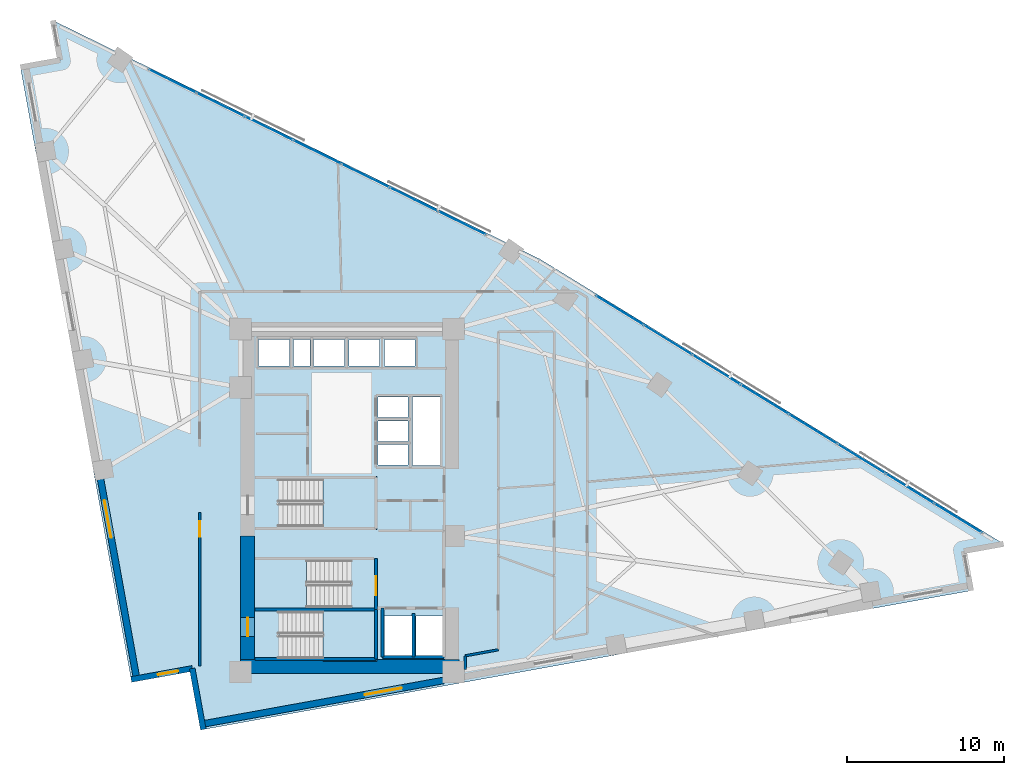
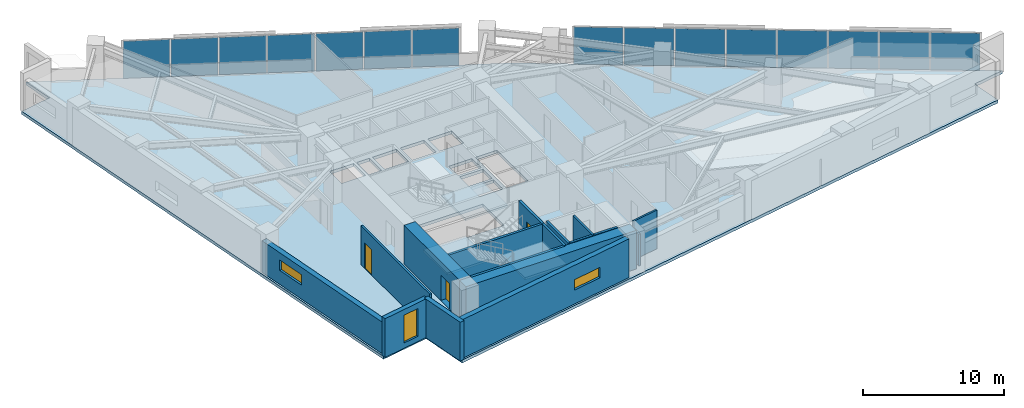
# One storey, part 12 of 18: 16 walls, 15 plates, 4 slabs, 3 doors, 3 windows, 6 openings, 5 elements without a shape of their own.
"""IFC4 building model written with IfcOpenShell, lengths in metres."""

from ifc_helpers import new_model, si_unit, direction, frame, frame_2d, origin, origin_2d, place, context, subcontext, project, spatial, polyline, rectangle, outline, extrude, material, layer, layer_set, type_object, element, fill, aggregate, save


model = new_model("IFC4")

# Units and contexts
model_context = context("Model", 3, precision=1e-05, world=origin(), true_north=direction((0.0, 1.0)))
body_context = subcontext(model_context, "Body", "Model", "MODEL_VIEW")
ifc_project = project(units=[si_unit("LENGTHUNIT", "METRE"), si_unit("AREAUNIT", "SQUARE_METRE"), si_unit("VOLUMEUNIT", "CUBIC_METRE"), si_unit("PLANEANGLEUNIT", "RADIAN"), si_unit("MASSUNIT", "GRAM", prefix="KILO")], contexts=[model_context])

# Site, building, storey
site_placement = place(None, origin())
site = spatial("IfcSite", under=ifc_project, at=site_placement, CompositionType="ELEMENT")
building_placement = place(site_placement, origin())
building = spatial("IfcBuilding", under=site, at=building_placement, Name="Narakoshi Arena Tower", CompositionType="ELEMENT")
storey_placement = place(building_placement, frame((0.0, 0.0, 120.89990234375)))
storey = spatial("IfcBuildingStorey", under=building, at=storey_placement, Name="L32", CompositionType="ELEMENT", Elevation=120.89990234375)

# Curtain wall, plates
ifc_material_1 = material(Name="Anodised bronze aluminium 6063-T6", Category="aluminium")
curtain_wall_type = type_object("IfcCurtainWallType", Name="CW-HYP-LOW", PredefinedType="NOTDEFINED", material=ifc_material_1)
curtain_wall_1_placement = place(storey_placement, origin())
curtain_wall_1 = element("IfcCurtainWall", 1, at=curtain_wall_1_placement, inside=storey, type_object=curtain_wall_type, Name="L32 Folded Hypotenuse Curtain Wall 1-1", PredefinedType="NOTDEFINED")
ifc_material_2 = material(Name="Bronze-tinted low-E laminated glass", Category="glass")
ifc_layer_1 = layer(ifc_material_2, 0.031982421875)
ifc_layer_set_1 = layer_set([ifc_layer_1], Name="Bronze-tinted low-E laminated glass")
plate_type = type_object("IfcPlateType", Name="PLT-GLZ-32", PredefinedType="CURTAIN_PANEL", material=ifc_layer_set_1)
plate_1_placement = place(storey_placement, frame((117.64013671875, 44.483642578125, 0.065185546875), z_axis=(0.0, 0.0, 1.0), x_axis=(-0.852113104237, 0.523357676535, 0.0)))
plate_1 = element("IfcPlate", 2, at=plate_1_placement, type_object=plate_type, Name="CW-01 panel 1.1", PredefinedType="CURTAIN_PANEL", context=body_context, shape_type="SweptSolid", body=[
    extrude(rectangle(XDim=3.498291015625, YDim=0.031982421875, at=origin_2d()), origin(), (0.0, 0.0, 1.0), 3.2099609375),
])
plate_2_placement = place(storey_placement, frame((114.5791015625, 46.36376953125, 0.065185546875), z_axis=(0.0, 0.0, 1.0), x_axis=(-0.852113104237, 0.523357676535, 0.0)))
plate_2 = element("IfcPlate", 3, at=plate_2_placement, type_object=plate_type, Name="CW-01 panel 2.1", PredefinedType="CURTAIN_PANEL", context=body_context, shape_type="SweptSolid", body=[
    extrude(rectangle(XDim=3.535888671875, YDim=0.031982421875, at=origin_2d()), origin(), (0.0, 0.0, 1.0), 3.2099609375),
])
plate_3_placement = place(storey_placement, frame((111.502197265625, 48.25341796875, 0.065185546875), z_axis=(0.0, 0.0, 1.0), x_axis=(-0.852113104237, 0.523357676535, 0.0)))
plate_3 = element("IfcPlate", 4, at=plate_3_placement, type_object=plate_type, Name="CW-01 panel 3.1", PredefinedType="CURTAIN_PANEL", context=body_context, shape_type="SweptSolid", body=[
    extrude(rectangle(XDim=3.535888671875, YDim=0.031982421875, at=origin_2d()), origin(), (0.0, 0.0, 1.0), 3.2099609375),
])
plate_4_placement = place(storey_placement, frame((108.42529296875, 50.143310546875, 0.065185546875), z_axis=(0.0, 0.0, 1.0), x_axis=(-0.852113104237, 0.523357676535, 0.0)))
plate_4 = element("IfcPlate", 5, at=plate_4_placement, type_object=plate_type, Name="CW-01 panel 4.1", PredefinedType="CURTAIN_PANEL", context=body_context, shape_type="SweptSolid", body=[
    extrude(rectangle(XDim=3.535888671875, YDim=0.031982421875, at=origin_2d()), origin(), (0.0, 0.0, 1.0), 3.2099609375),
])
plate_5_placement = place(storey_placement, frame((105.348388671875, 52.032958984375, 0.065185546875), z_axis=(0.0, 0.0, 1.0), x_axis=(-0.852113104237, 0.523357676535, 0.0)))
plate_5 = element("IfcPlate", 6, at=plate_5_placement, type_object=plate_type, Name="CW-01 panel 5.1", PredefinedType="CURTAIN_PANEL", context=body_context, shape_type="SweptSolid", body=[
    extrude(rectangle(XDim=3.535888671875, YDim=0.031982421875, at=origin_2d()), origin(), (0.0, 0.0, 1.0), 3.2099609375),
])
plate_6_placement = place(storey_placement, frame((102.271728515625, 53.9228515625, 0.065185546875), z_axis=(0.0, 0.0, 1.0), x_axis=(-0.852113104237, 0.523357676535, 0.0)))
plate_6 = element("IfcPlate", 7, at=plate_6_placement, type_object=plate_type, Name="CW-01 panel 6.1", PredefinedType="CURTAIN_PANEL", context=body_context, shape_type="SweptSolid", body=[
    extrude(rectangle(XDim=3.535888671875, YDim=0.031982421875, at=origin_2d()), origin(), (0.0, 0.0, 1.0), 3.2099609375),
])
plate_7_placement = place(storey_placement, frame((99.19482421875, 55.8125, 0.065185546875), z_axis=(0.0, 0.0, 1.0), x_axis=(-0.852113104237, 0.523357676535, 0.0)))
plate_7 = element("IfcPlate", 8, at=plate_7_placement, type_object=plate_type, Name="CW-01 panel 7.1", PredefinedType="CURTAIN_PANEL", context=body_context, shape_type="SweptSolid", body=[
    extrude(rectangle(XDim=3.535888671875, YDim=0.031982421875, at=origin_2d()), origin(), (0.0, 0.0, 1.0), 3.2099609375),
])
plate_8_placement = place(storey_placement, frame((96.1337890625, 57.692626953125, 0.065185546875), z_axis=(0.0, 0.0, 1.0), x_axis=(-0.852113104237, 0.523357676535, 0.0)))
plate_8 = element("IfcPlate", 9, at=plate_8_placement, type_object=plate_type, Name="CW-01 panel 8.1", PredefinedType="CURTAIN_PANEL", context=body_context, shape_type="SweptSolid", body=[
    extrude(rectangle(XDim=3.498291015625, YDim=0.031982421875, at=origin_2d()), origin(), (0.0, 0.0, 1.0), 3.2099609375),
])
aggregate(curtain_wall_1, [plate_1, plate_2, plate_3, plate_4, plate_5, plate_6, plate_7, plate_8])

curtain_wall_2_placement = place(storey_placement, origin())
curtain_wall_2 = element("IfcCurtainWall", 10, at=curtain_wall_2_placement, inside=storey, type_object=curtain_wall_type, Name="L32 Folded Hypotenuse Curtain Wall 2-1", PredefinedType="NOTDEFINED")
plate_9_placement = place(storey_placement, frame((86.0791015625, 63.259765625, 0.065185546875), z_axis=(0.0, 0.0, 1.0), x_axis=(-0.89799556291, 0.440004510198, 0.0)))
plate_9 = element("IfcPlate", 11, at=plate_9_placement, type_object=plate_type, Name="CW-01 panel 1.1", PredefinedType="CURTAIN_PANEL", context=body_context, shape_type="SweptSolid", body=[
    extrude(rectangle(XDim=3.309814453125, YDim=0.031982421875, at=origin_2d()), origin(), (0.0, 0.0, 1.0), 3.2099609375),
])
plate_10_placement = place(storey_placement, frame((83.022705078125, 64.75732421875, 0.065185546875), z_axis=(0.0, 0.0, 1.0), x_axis=(-0.89799556291, 0.440004510198, 0.0)))
plate_10 = element("IfcPlate", 12, at=plate_10_placement, type_object=plate_type, Name="CW-01 panel 2.1", PredefinedType="CURTAIN_PANEL", context=body_context, shape_type="SweptSolid", body=[
    extrude(rectangle(XDim=3.347412109375, YDim=0.031982421875, at=origin_2d()), origin(), (0.0, 0.0, 1.0), 3.2099609375),
])
plate_11_placement = place(storey_placement, frame((79.949462890625, 66.26318359375, 0.065185546875), z_axis=(0.0, 0.0, 1.0), x_axis=(-0.89799556291, 0.440004510198, 0.0)))
plate_11 = element("IfcPlate", 13, at=plate_11_placement, type_object=plate_type, Name="CW-01 panel 3.1", PredefinedType="CURTAIN_PANEL", context=body_context, shape_type="SweptSolid", body=[
    extrude(rectangle(XDim=3.347412109375, YDim=0.031982421875, at=origin_2d()), origin(), (0.0, 0.0, 1.0), 3.2099609375),
])
plate_12_placement = place(storey_placement, frame((76.8759765625, 67.76904296875, 0.065185546875), z_axis=(0.0, 0.0, 1.0), x_axis=(-0.89799556291, 0.440004510198, 0.0)))
plate_12 = element("IfcPlate", 14, at=plate_12_placement, type_object=plate_type, Name="CW-01 panel 4.1", PredefinedType="CURTAIN_PANEL", context=body_context, shape_type="SweptSolid", body=[
    extrude(rectangle(XDim=3.347412109375, YDim=0.031982421875, at=origin_2d()), origin(), (0.0, 0.0, 1.0), 3.2099609375),
])
plate_13_placement = place(storey_placement, frame((73.802734375, 69.27490234375, 0.065185546875), z_axis=(0.0, 0.0, 1.0), x_axis=(-0.89799556291, 0.440004510198, 0.0)))
plate_13 = element("IfcPlate", 15, at=plate_13_placement, type_object=plate_type, Name="CW-01 panel 5.1", PredefinedType="CURTAIN_PANEL", context=body_context, shape_type="SweptSolid", body=[
    extrude(rectangle(XDim=3.347412109375, YDim=0.031982421875, at=origin_2d()), origin(), (0.0, 0.0, 1.0), 3.2099609375),
])
plate_14_placement = place(storey_placement, frame((70.7294921875, 70.781005859375, 0.065185546875), z_axis=(0.0, 0.0, 1.0), x_axis=(-0.89799556291, 0.440004510198, 0.0)))
plate_14 = element("IfcPlate", 16, at=plate_14_placement, type_object=plate_type, Name="CW-01 panel 6.1", PredefinedType="CURTAIN_PANEL", context=body_context, shape_type="SweptSolid", body=[
    extrude(rectangle(XDim=3.347412109375, YDim=0.031982421875, at=origin_2d()), origin(), (0.0, 0.0, 1.0), 3.2099609375),
])
plate_15_placement = place(storey_placement, frame((67.673095703125, 72.278564453125, 0.065185546875), z_axis=(0.0, 0.0, 1.0), x_axis=(-0.89799556291, 0.440004510198, 0.0)))
plate_15 = element("IfcPlate", 17, at=plate_15_placement, type_object=plate_type, Name="CW-01 panel 7.1", PredefinedType="CURTAIN_PANEL", context=body_context, shape_type="SweptSolid", body=[
    extrude(rectangle(XDim=3.309814453125, YDim=0.031982421875, at=origin_2d()), origin(), (0.0, 0.0, 1.0), 3.2099609375),
])
aggregate(curtain_wall_2, [plate_9, plate_10, plate_11, plate_12, plate_13, plate_14, plate_15])

# Stair, slab
ifc_material_3 = material(Name="Concrete C45/55", Category="concrete")
stair_type = type_object("IfcStairType", Name="STR-CORE-360", PredefinedType="TWO_STRAIGHT_RUN_STAIR", material=ifc_material_3)
stair_1_placement = place(storey_placement, origin())
stair_1 = element("IfcStair", 18, at=stair_1_placement, inside=storey, type_object=stair_type, Name="L32 Core Escape Stair ST1", PredefinedType="TWO_STRAIGHT_RUN_STAIR")
ifc_layer_2 = layer(ifc_material_3, 0.18994140625)
ifc_layer_set_2 = layer_set([ifc_layer_2], Name="Concrete C45/55")
slab_type_1 = type_object("IfcSlabType", Name="SLB-LND-190", PredefinedType="LANDING", material=ifc_layer_set_2)
slab_1_placement = place(storey_placement, frame((0.0, 0.0, 1.610107421875)))
slab_1 = element("IfcSlab", 19, at=slab_1_placement, type_object=slab_type_1, Name="ST1 landing 1", PredefinedType="LANDING", context=body_context, shape_type="SweptSolid", body=[
    extrude(outline(polyline([(77.25, 35.3701171875), (80.679931640625, 35.3701171875), (80.679931640625, 38.72998046875), (77.25, 38.72998046875), (77.25, 35.3701171875)])), origin(), (0.0, 0.0, 1.0), 0.18994140625),
])
aggregate(stair_1, [slab_1])

stair_2_placement = place(storey_placement, origin())
stair_2 = element("IfcStair", 20, at=stair_2_placement, inside=storey, type_object=stair_type, Name="L32 Core Escape Stair ST2", PredefinedType="TWO_STRAIGHT_RUN_STAIR")
slab_2_placement = place(storey_placement, frame((0.0, 0.0, 1.610107421875)))
slab_2 = element("IfcSlab", 21, at=slab_2_placement, type_object=slab_type_1, Name="ST2 landing 1", PredefinedType="LANDING", context=body_context, shape_type="SweptSolid", body=[
    extrude(outline(polyline([(72.77001953125, 38.6201171875), (76.199951171875, 38.6201171875), (76.199951171875, 41.97998046875), (72.77001953125, 41.97998046875), (72.77001953125, 38.6201171875)])), origin(), (0.0, 0.0, 1.0), 0.18994140625),
])
aggregate(stair_2, [slab_2])

stair_3_placement = place(storey_placement, origin())
stair_3 = element("IfcStair", 22, at=stair_3_placement, inside=storey, type_object=stair_type, Name="L32 Core Escape Stair ST3", PredefinedType="TWO_STRAIGHT_RUN_STAIR")
slab_3_placement = place(storey_placement, frame((0.0, 0.0, 1.610107421875)))
slab_3 = element("IfcSlab", 23, at=slab_3_placement, type_object=slab_type_1, Name="ST3 landing 1", PredefinedType="LANDING", context=body_context, shape_type="SweptSolid", body=[
    extrude(outline(polyline([(77.25, 43.77001953125), (80.679931640625, 43.77001953125), (80.679931640625, 47.1298828125), (77.25, 47.1298828125), (77.25, 43.77001953125)])), origin(), (0.0, 0.0, 1.0), 0.18994140625),
])
aggregate(stair_3, [slab_3])

# Slab
ifc_material_4 = material(Name="Concrete C50/60", Category="concrete")
ifc_layer_3 = layer(ifc_material_4, 0.260009765625)
ifc_layer_set_3 = layer_set([ifc_layer_3], Name="Concrete C50/60")
slab_type_2 = type_object("IfcSlabType", Name="SLB-SKY-260", PredefinedType="FLOOR", material=ifc_layer_set_3)
slab_4_placement = place(storey_placement, frame((0.0, 0.0, -0.260009765625)))
element("IfcSlab", 24, at=slab_4_placement, inside=storey, type_object=slab_type_2, Name="L32 Structural Floor Slab", PredefinedType="FLOOR", context=body_context, shape_type="SweptSolid", body=[
    extrude(outline(polyline([(69.626953125, 31.03271484375), (118.466796875, 39.8642578125), (118.01025390625, 42.3896484375), (120.535400390625, 42.84619140625), (91.034912109375, 60.965087890625), (60.066162109375, 76.139404296875), (60.522705078125, 73.614013671875), (57.99755859375, 73.157470703125), (65.039306640625, 34.215087890625), (68.92431640625, 34.91748046875), (69.626953125, 31.03271484375)]), holes=[polyline([(80.5, 35.550048828125), (74.47998046875, 35.550048828125), (74.47998046875, 38.550048828125), (80.5, 38.550048828125), (80.5, 35.550048828125)]), polyline([(82.89990234375, 35.75), (81.14990234375, 35.75), (81.14990234375, 38.25), (82.89990234375, 38.25), (82.89990234375, 35.75)]), polyline([(83.14990234375, 35.75), (83.14990234375, 38.25), (84.89990234375, 38.25), (84.89990234375, 35.75), (83.14990234375, 35.75)]), polyline([(72.949951171875, 38.800048828125), (72.949951171875, 41.800048828125), (78.969970703125, 41.800048828125), (78.969970703125, 38.800048828125), (72.949951171875, 38.800048828125)]), polyline([(74.47998046875, 43.949951171875), (74.47998046875, 46.949951171875), (80.5, 46.949951171875), (80.5, 43.949951171875), (74.47998046875, 43.949951171875)]), polyline([(82.949951171875, 47.840087890625), (82.949951171875, 52.199951171875), (84.699951171875, 52.199951171875), (84.699951171875, 47.840087890625), (82.949951171875, 47.840087890625)]), polyline([(80.75, 47.85009765625), (80.75, 49.14990234375), (82.64990234375, 49.14990234375), (82.64990234375, 47.85009765625), (80.75, 47.85009765625)]), polyline([(80.75, 49.3701171875), (80.75, 50.669921875), (82.64990234375, 50.669921875), (82.64990234375, 49.3701171875), (80.75, 49.3701171875)]), polyline([(80.75, 50.889892578125), (80.75, 52.18994140625), (82.64990234375, 52.18994140625), (82.64990234375, 50.889892578125), (80.75, 50.889892578125)]), polyline([(73.14990234375, 54.14990234375), (73.14990234375, 55.85009765625), (75.10009765625, 55.85009765625), (75.10009765625, 54.14990234375), (73.14990234375, 54.14990234375)]), polyline([(75.35009765625, 54.14990234375), (75.35009765625, 55.85009765625), (76.39990234375, 55.85009765625), (76.39990234375, 54.14990234375), (75.35009765625, 54.14990234375)]), polyline([(76.64990234375, 54.14990234375), (76.64990234375, 55.85009765625), (78.60009765625, 55.85009765625), (78.60009765625, 54.14990234375), (76.64990234375, 54.14990234375)]), polyline([(78.89990234375, 54.14990234375), (78.89990234375, 55.85009765625), (80.85009765625, 55.85009765625), (80.85009765625, 54.14990234375), (78.89990234375, 54.14990234375)]), polyline([(81.14990234375, 54.14990234375), (81.14990234375, 55.85009765625), (83.10009765625, 55.85009765625), (83.10009765625, 54.14990234375), (81.14990234375, 54.14990234375)])]), origin(), (0.0, 0.0, 1.0), 0.260009765625),
])

# Wall, opening, door
ifc_material_5 = material(Name="Concrete C60/75", Category="concrete")
ifc_layer_4 = layer(ifc_material_5, 0.89990234375)
ifc_layer_set_4 = layer_set([ifc_layer_4], Name="Concrete C60/75")
wall_type_1 = type_object("IfcWallType", Name="WL-CORE-900", PredefinedType="SHEAR", material=ifc_layer_set_4)
wall_1_placement = place(storey_placement, frame((72.449951171875, 35.5, -0.260009765625), z_axis=(0.0, 0.0, 1.0), x_axis=(0.0, 1.0, 0.0)))
wall_1 = element("IfcWall", 25, at=wall_1_placement, inside=storey, type_object=wall_type_1, Name="L32 Central Core Shear Wall CW-APX-W", PredefinedType="SHEAR", context=body_context, shape_type="SweptSolid", body=[
    extrude(rectangle(XDim=7.85009765625, YDim=0.89990234375, at=frame_2d((3.925048828125, 0.0))), origin(), (0.0, 0.0, 1.0), 3.60009765625),
])
opening_1_placement = place(wall_1_placement, frame((1.449951171875, 0.0, 0.260009765625)))
opening_1 = element("IfcOpeningElement", 26, at=opening_1_placement, cuts=wall_1, Name="Opening D-03", PredefinedType="OPENING", context=body_context, shape_type="SweptSolid", body=[
    extrude(rectangle(XDim=1.199951171875, YDim=2.199951171875, at=frame_2d((0.60009765625, 1.10009765625))), frame((0.0, 0.4599609375, 0.0), z_axis=(0.0, -1.0, 0.0), x_axis=(1.0, 0.0, 0.0)), (0.0, 0.0, 1.0), 0.919921875),
])
ifc_material_6 = material(Name="Painted galvanized steel", Category="steel")
door_type_1 = type_object("IfcDoorType", Name="DR-STR-1200", OperationType="NOTDEFINED", PredefinedType="USERDEFINED", material=ifc_material_6)
door_1_placement = place(opening_1_placement, frame((1.199951171875, 0.0, 0.0), z_axis=(0.0, 0.0, 1.0), x_axis=(-1.0, 0.0, 0.0)))
door_1 = element("IfcDoor", 27, at=door_1_placement, inside=storey, type_object=door_type_1, Name="DR-L32-001", ObjectType="EXITDOOR", OperationType="SINGLE_SWING_LEFT", OverallHeight=2.199951171875, OverallWidth=1.199951171875, PredefinedType="USERDEFINED", context=body_context, shape_type="SweptSolid", body=[
    extrude(rectangle(XDim=1.199951171875, YDim=2.199951171875, at=frame_2d((0.60009765625, 1.10009765625))), frame((0.0, 0.02490234375, 0.0), z_axis=(0.0, -1.0, 0.0), x_axis=(1.0, 0.0, 0.0)), (0.0, 0.0, 1.0), 0.050048828125),
])
fill(opening_1, door_1)

# Wall
wall_2_placement = place(storey_placement, frame((72.0, 35.050048828125, -0.260009765625), z_axis=(0.0, 0.0, 1.0), x_axis=(1.0, 0.0, 0.0)))
element("IfcWall", 28, at=wall_2_placement, inside=storey, type_object=wall_type_1, Name="L32 Central Core Shear Wall CW-APX-S", PredefinedType="SHEAR", context=body_context, shape_type="SweptSolid", body=[
    extrude(rectangle(XDim=13.89990234375, YDim=0.89990234375, at=frame_2d((6.949951171875, 0.0))), origin(), (0.0, 0.0, 1.0), 3.60009765625),
])

# Wall, opening, door
ifc_material_7 = material(Name="Gypsum plasterboard fire-rated partition")
ifc_layer_5 = layer(ifc_material_7, 0.1650390625)
ifc_layer_set_5 = layer_set([ifc_layer_5], Name="Gypsum plasterboard fire-rated partition")
wall_type_2 = type_object("IfcWallType", Name="WL-CORR-165", PredefinedType="PARTITIONING", material=ifc_layer_set_5)
wall_3_placement = place(storey_placement, frame((69.39990234375, 44.823486328125, 0.0), z_axis=(0.0, 0.0, 1.0), x_axis=(0.000175544184, -0.999999984592, 0.0)))
wall_3 = element("IfcWall", 29, at=wall_3_placement, inside=storey, type_object=wall_type_2, Name="L32 Corridor Partition 01-1", PredefinedType="PARTITIONING", context=body_context, shape_type="SweptSolid", body=[
    extrude(rectangle(XDim=9.7353515625, YDim=0.1650390625, at=frame_2d((4.86767578125, 0.0))), origin(), (0.0, 0.0, 1.0), 3.340087890625),
])
opening_2_placement = place(wall_3_placement, frame((0.533447265625, 0.0, 0.0)))
opening_2 = element("IfcOpeningElement", 30, at=opening_2_placement, cuts=wall_3, Name="Opening D-06", PredefinedType="OPENING", context=body_context, shape_type="SweptSolid", body=[
    extrude(rectangle(XDim=1.0, YDim=2.199951171875, at=frame_2d((0.5, 1.10009765625))), frame((0.0, 0.092529296875, 0.0), z_axis=(0.0, -1.0, 0.0), x_axis=(1.0, 0.0, 0.0)), (0.0, 0.0, 1.0), 0.18505859375),
])
ifc_material_8 = material(Name="Stained oak solid-core timber", Category="wood")
door_type_2 = type_object("IfcDoorType", Name="DR-OFF-1000", OperationType="NOTDEFINED", PredefinedType="DOOR", material=ifc_material_8)
door_2_placement = place(opening_2_placement, frame((1.0, 0.0, 0.0), z_axis=(0.0, 0.0, 1.0), x_axis=(-1.0, 0.0, 0.0)))
door_2 = element("IfcDoor", 31, at=door_2_placement, inside=storey, type_object=door_type_2, Name="DR-L32-015", OperationType="SINGLE_SWING_RIGHT", OverallHeight=2.199951171875, OverallWidth=1.0, PredefinedType="DOOR", context=body_context, shape_type="SweptSolid", body=[
    extrude(rectangle(XDim=1.0, YDim=2.199951171875, at=frame_2d((0.5, 1.10009765625))), frame((0.0, 0.02490234375, 0.0), z_axis=(0.0, -1.0, 0.0), x_axis=(1.0, 0.0, 0.0)), (0.0, 0.0, 1.0), 0.050048828125),
])
fill(opening_2, door_2)

# Wall, opening, window
ifc_material_9 = material(Name="Precast concrete C45/55", Category="concrete")
ifc_layer_6 = layer(ifc_material_9, 0.419921875)
ifc_layer_set_6 = layer_set([ifc_layer_6], Name="Precast concrete C45/55")
wall_type_3 = type_object("IfcWallType", Name="WL-POD-420", PredefinedType="SOLIDWALL", material=ifc_layer_set_6)
wall_4_placement = place(storey_placement, frame((69.564697265625, 31.376953125, 0.0), z_axis=(0.0, 0.0, 1.0), x_axis=(0.98404091451, 0.177942346197, 0.0)))
wall_4 = element("IfcWall", 32, at=wall_4_placement, inside=storey, type_object=wall_type_3, Name="L32 Architectural Concrete Facade Wall LEGA-1", PredefinedType="SOLIDWALL", context=body_context, shape_type="SweptSolid", body=[
    extrude(rectangle(XDim=15.58349609375, YDim=0.419921875, at=frame_2d((7.791748046875, 0.0))), origin(), (0.0, 0.0, 1.0), 3.340087890625),
])
opening_3_placement = place(wall_4_placement, frame((10.5, 0.0, 1.199951171875)))
opening_3 = element("IfcOpeningElement", 33, at=opening_3_placement, cuts=wall_4, Name="Opening WN-01", PredefinedType="OPENING", context=body_context, shape_type="SweptSolid", body=[
    extrude(rectangle(XDim=2.39990234375, YDim=0.89990234375, at=frame_2d((1.199951171875, 0.449951171875))), frame((0.0, 0.219970703125, 0.0), z_axis=(0.0, -1.0, 0.0), x_axis=(1.0, 0.0, 0.0)), (0.0, 0.0, 1.0), 0.43994140625),
])
window_type_1 = type_object("IfcWindowType", Name="WIN-SLT-24x09", PartitioningType="SINGLE_PANEL", PredefinedType="WINDOW", material=ifc_material_2)
window_1_placement = place(opening_3_placement, origin())
window_1 = element("IfcWindow", 34, at=window_1_placement, inside=storey, type_object=window_type_1, Name="L32 LEGA1 Horizontal Slot Window 1", OverallHeight=0.89990234375, OverallWidth=2.39990234375, PartitioningType="SINGLE_PANEL", PredefinedType="WINDOW", context=body_context, shape_type="SweptSolid", body=[
    extrude(rectangle(XDim=2.39990234375, YDim=0.89990234375, at=frame_2d((1.199951171875, 0.449951171875))), frame((0.0, 0.030029296875, 0.0), z_axis=(0.0, -1.0, 0.0), x_axis=(1.0, 0.0, 0.0)), (0.0, 0.0, 1.0), 0.06005859375),
])
fill(opening_3, window_1)

wall_5_placement = place(storey_placement, frame((62.989501953125, 47.517578125, 0.0), z_axis=(0.0, 0.0, 1.0), x_axis=(0.177948058674, -0.984039881516, 0.0)))
wall_5 = element("IfcWall", 35, at=wall_5_placement, inside=storey, type_object=wall_type_3, Name="L32 Architectural Concrete Facade Wall LEGB-3", PredefinedType="SOLIDWALL", context=body_context, shape_type="SweptSolid", body=[
    extrude(rectangle(XDim=13.455078125, YDim=0.419921875, at=frame_2d((6.7275390625, 0.0))), origin(), (0.0, 0.0, 1.0), 2.72509765625),
])
opening_4_placement = place(wall_5_placement, frame((1.945068359375, 0.0, 1.199951171875)))
opening_4 = element("IfcOpeningElement", 36, at=opening_4_placement, cuts=wall_5, Name="Opening WN-01", PredefinedType="OPENING", context=body_context, shape_type="SweptSolid", body=[
    extrude(rectangle(XDim=2.39990234375, YDim=0.89990234375, at=frame_2d((1.199951171875, 0.449951171875))), frame((0.0, 0.219970703125, 0.0), z_axis=(0.0, -1.0, 0.0), x_axis=(1.0, 0.0, 0.0)), (0.0, 0.0, 1.0), 0.43994140625),
])
window_2_placement = place(opening_4_placement, origin())
window_2 = element("IfcWindow", 37, at=window_2_placement, inside=storey, type_object=window_type_1, Name="L32 LEGB3 Horizontal Slot Window 1", OverallHeight=0.89990234375, OverallWidth=2.39990234375, PartitioningType="SINGLE_PANEL", PredefinedType="WINDOW", context=body_context, shape_type="SweptSolid", body=[
    extrude(rectangle(XDim=2.39990234375, YDim=0.89990234375, at=frame_2d((1.199951171875, 0.449951171875))), frame((0.0, 0.030029296875, 0.0), z_axis=(0.0, -1.0, 0.0), x_axis=(1.0, 0.0, 0.0)), (0.0, 0.0, 1.0), 0.06005859375),
])
fill(opening_4, window_2)

wall_6_placement = place(storey_placement, frame((65.039306640625, 34.215087890625, 0.0), z_axis=(0.0, 0.0, 1.0), x_axis=(0.984046535247, 0.177911260096, 0.0)))
wall_6 = element("IfcWall", 38, at=wall_6_placement, inside=storey, type_object=wall_type_3, Name="L32 Re-Entrant Corner Notch Wall NTA-1", PredefinedType="SOLIDWALL", context=body_context, shape_type="SweptSolid", body=[
    extrude(rectangle(XDim=3.947998046875, YDim=0.360107421875, at=frame_2d((1.97412109375, 0.0))), origin(), (0.0, 0.0, 1.0), 3.340087890625),
])
opening_5_placement = place(wall_6_placement, frame((1.73388671875, 0.0, 0.449951171875)))
opening_5 = element("IfcOpeningElement", 39, at=opening_5_placement, cuts=wall_6, Name="Opening WN-06", PredefinedType="OPENING", context=body_context, shape_type="SweptSolid", body=[
    extrude(rectangle(XDim=1.300048828125, YDim=2.39990234375, at=frame_2d((0.64990234375, 1.199951171875))), frame((0.0, 0.18994140625, 0.0), z_axis=(0.0, -1.0, 0.0), x_axis=(1.0, 0.0, 0.0)), (0.0, 0.0, 1.0), 0.380126953125),
])
window_type_2 = type_object("IfcWindowType", Name="WIN-NTC-16x24", PartitioningType="SINGLE_PANEL", PredefinedType="WINDOW", material=ifc_material_2)
window_3_placement = place(opening_5_placement, origin())
window_3 = element("IfcWindow", 40, at=window_3_placement, inside=storey, type_object=window_type_2, Name="L32 Corner Notch Window NTA", OverallHeight=2.39990234375, OverallWidth=1.300048828125, PartitioningType="SINGLE_PANEL", PredefinedType="WINDOW", context=body_context, shape_type="SweptSolid", body=[
    extrude(rectangle(XDim=1.300048828125, YDim=2.39990234375, at=frame_2d((0.64990234375, 1.199951171875))), frame((0.0, 0.030029296875, 0.0), z_axis=(0.0, -1.0, 0.0), x_axis=(1.0, 0.0, 0.0)), (0.0, 0.0, 1.0), 0.06005859375),
])
fill(opening_5, window_3)

# Walls
wall_7_placement = place(storey_placement, frame((68.92431640625, 34.91748046875, 0.0), z_axis=(0.0, 0.0, 1.0), x_axis=(0.177981971326, -0.984033748346, 0.0)))
element("IfcWall", 41, at=wall_7_placement, inside=storey, type_object=wall_type_3, Name="L32 Re-Entrant Corner Notch Wall NTA-2", PredefinedType="SOLIDWALL", context=body_context, shape_type="SweptSolid", body=[
    extrude(rectangle(XDim=3.94775390625, YDim=0.360107421875, at=frame_2d((1.973876953125, 0.0))), origin(), (0.0, 0.0, 1.0), 3.340087890625),
])
ifc_material_10 = material(Name="Concrete C40/50", Category="concrete")
ifc_layer_7 = layer(ifc_material_10, 0.280029296875)
ifc_layer_set_7 = layer_set([ifc_layer_7], Name="Concrete C40/50")
wall_type_4 = type_object("IfcWallType", Name="WL-RISER-280", PredefinedType="PLUMBINGWALL", material=ifc_layer_set_7)
wall_8_placement = place(storey_placement, frame((83.0, 35.64990234375, 0.0), z_axis=(0.0, 0.0, 1.0), x_axis=(0.0, 1.0, 0.0)))
element("IfcWall", 42, at=wall_8_placement, inside=storey, type_object=wall_type_4, Name="L32 Core Wall FF-DIV", PredefinedType="PLUMBINGWALL", context=body_context, shape_type="SweptSolid", body=[
    extrude(rectangle(XDim=2.75, YDim=0.159912109375, at=frame_2d((1.375, 0.0))), origin(), (0.0, 0.0, 1.0), 3.340087890625),
])
ifc_layer_8 = layer(ifc_material_4, 0.35009765625)
ifc_layer_set_8 = layer_set([ifc_layer_8], Name="Concrete C50/60")
wall_type_5 = type_object("IfcWallType", Name="WL-SHAFT-350", PredefinedType="SOLIDWALL", material=ifc_layer_set_8)
for number, where, z_axis, x_axis, name in (
    (43, (72.919921875, 35.52001953125, -0.260009765625), (0.0, 0.0, 1.0), (1.0, 0.0, 0.0), "L32 Core Wall ST1-S"),
    (44, (72.919921875, 38.675048828125, -0.260009765625), (0.0, 0.0, 1.0), (1.0, 0.0, 0.0), "L32 Core Wall ST12-DIV"),
):
    element("IfcWall", number, at=place(storey_placement, frame(where, z_axis=z_axis, x_axis=x_axis)), inside=storey, type_object=wall_type_5, Name=name, PredefinedType="SOLIDWALL", context=body_context, shape_type="SweptSolid", body=[
        extrude(rectangle(XDim=7.7001953125, YDim=0.199951171875, at=frame_2d((3.85009765625, 0.0))), origin(), (0.0, 0.0, 1.0), 3.60009765625),
    ])
wall_9_placement = place(storey_placement, frame((80.6201171875, 35.52001953125, -0.260009765625), z_axis=(0.0, 0.0, 1.0), x_axis=(0.0, 1.0, 0.0)))
element("IfcWall", 45, at=wall_9_placement, inside=storey, type_object=wall_type_5, Name="L32 Core Wall ST1-E", PredefinedType="SOLIDWALL", context=body_context, shape_type="SweptSolid", body=[
    extrude(rectangle(XDim=3.155029296875, YDim=0.199951171875, at=frame_2d((1.57763671875, 0.0))), origin(), (0.0, 0.0, 1.0), 3.60009765625),
])

# Wall, opening, door
wall_10_placement = place(storey_placement, frame((80.6201171875, 38.675048828125, -0.260009765625), z_axis=(0.0, 0.0, 1.0), x_axis=(0.0, 1.0, 0.0)))
wall_10 = element("IfcWall", 46, at=wall_10_placement, inside=storey, type_object=wall_type_5, Name="L32 Core Wall ST2-E", PredefinedType="SOLIDWALL", context=body_context, shape_type="SweptSolid", body=[
    extrude(rectangle(XDim=3.244873046875, YDim=0.199951171875, at=frame_2d((1.62255859375, 0.0))), origin(), (0.0, 0.0, 1.0), 3.60009765625),
])
opening_6_placement = place(wall_10_placement, frame((0.89990234375, 0.0, 0.260009765625)))
opening_6 = element("IfcOpeningElement", 47, at=opening_6_placement, cuts=wall_10, Name="Opening D-03", PredefinedType="OPENING", context=body_context, shape_type="SweptSolid", body=[
    extrude(rectangle(XDim=1.199951171875, YDim=2.199951171875, at=frame_2d((0.60009765625, 1.10009765625))), frame((0.0, 0.10986328125, 0.0), z_axis=(0.0, -1.0, 0.0), x_axis=(1.0, 0.0, 0.0)), (0.0, 0.0, 1.0), 0.219970703125),
])
door_3_placement = place(opening_6_placement, origin())
door_3 = element("IfcDoor", 48, at=door_3_placement, inside=storey, type_object=door_type_1, Name="DR-L32-002", ObjectType="EXITDOOR", OperationType="SINGLE_SWING_RIGHT", OverallHeight=2.199951171875, OverallWidth=1.199951171875, PredefinedType="USERDEFINED", context=body_context, shape_type="SweptSolid", body=[
    extrude(rectangle(XDim=1.199951171875, YDim=2.199951171875, at=frame_2d((0.60009765625, 1.10009765625))), frame((0.0, 0.02490234375, 0.0), z_axis=(0.0, -1.0, 0.0), x_axis=(1.0, 0.0, 0.0)), (0.0, 0.0, 1.0), 0.050048828125),
])
fill(opening_6, door_3)

# Walls
wall_11_placement = place(storey_placement, frame((81.02001953125, 35.64990234375, 0.0), z_axis=(0.0, 0.0, 1.0), x_axis=(0.0, 1.0, 0.0)))
element("IfcWall", 49, at=wall_11_placement, inside=storey, type_object=wall_type_5, Name="L32 Core Wall FF-W", PredefinedType="SOLIDWALL", context=body_context, shape_type="SweptSolid", body=[
    extrude(rectangle(XDim=3.10009765625, YDim=0.179931640625, at=frame_2d((1.550048828125, 0.0))), origin(), (0.0, 0.0, 1.0), 3.340087890625),
])
wall_12_placement = place(storey_placement, frame((81.02001953125, 35.64990234375, 0.0), z_axis=(0.0, 0.0, 1.0), x_axis=(1.0, 0.0, 0.0)))
element("IfcWall", 50, at=wall_12_placement, inside=storey, type_object=wall_type_5, Name="L32 Core Wall FF-S", PredefinedType="SOLIDWALL", context=body_context, shape_type="SweptSolid", body=[
    extrude(rectangle(XDim=3.929931640625, YDim=0.179931640625, at=frame_2d((1.96484375, 0.0))), origin(), (0.0, 0.0, 1.0), 3.340087890625),
])
ifc_material_11 = material(Name="Moisture-resistant cement-board partition")
ifc_layer_9 = layer(ifc_material_11, 0.14501953125)
ifc_layer_set_9 = layer_set([ifc_layer_9], Name="Moisture-resistant cement-board partition")
wall_type_6 = type_object("IfcWallType", Name="WL-WET-145", PredefinedType="PARTITIONING", material=ifc_layer_set_9)
wall_13_placement = place(storey_placement, frame((86.300048828125, 35.724365234375, 0.0), z_axis=(0.0, 0.0, 1.0), x_axis=(0.984046990905, 0.177908739781, 0.0)))
element("IfcWall", 51, at=wall_13_placement, inside=storey, type_object=wall_type_6, Name="L32 Corridor Partition 02-5", PredefinedType="PARTITIONING", context=body_context, shape_type="SweptSolid", body=[
    extrude(rectangle(XDim=2.1337890625, YDim=0.14501953125, at=frame_2d((1.06689453125, 0.0))), origin(), (0.0, 0.0, 1.0), 3.340087890625),
])
wall_14_placement = place(storey_placement, frame((86.300048828125, 34.840087890625, 0.0), z_axis=(0.0, 0.0, 1.0), x_axis=(0.0, 1.0, 0.0)))
element("IfcWall", 52, at=wall_14_placement, inside=storey, type_object=wall_type_6, Name="L32 Room Enclosure Partition 02-1", PredefinedType="PARTITIONING", context=body_context, shape_type="SweptSolid", body=[
    extrude(rectangle(XDim=0.88427734375, YDim=0.14501953125, at=frame_2d((0.442138671875, 0.0))), origin(), (0.0, 0.0, 1.0), 2.72509765625),
])

save(model, "model.ifc")
